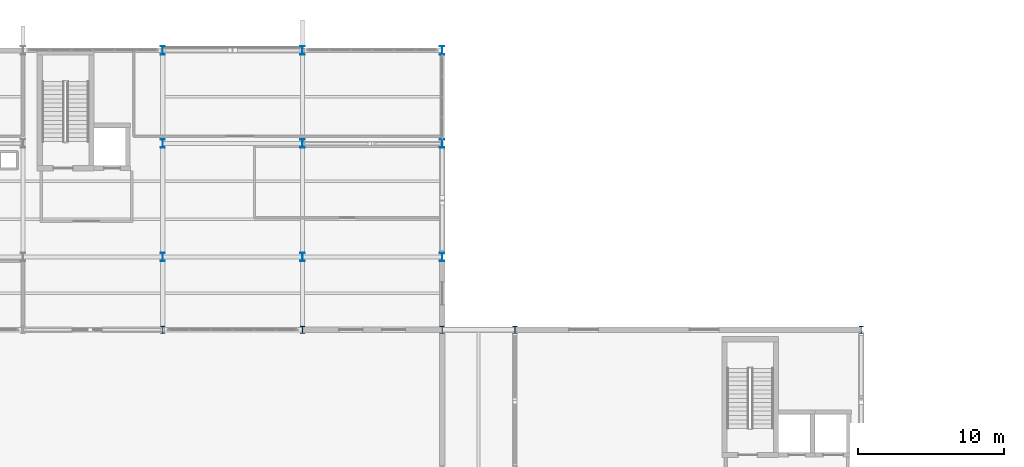
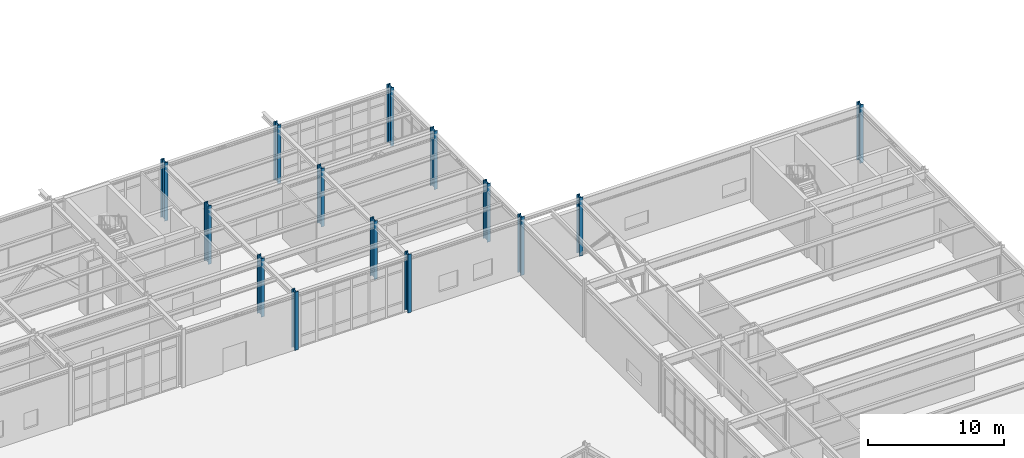
# One storey, part 17 of 109: 14 columns.
"""IFC4 building model written with IfcOpenShell, lengths in metres."""

from ifc_helpers import new_model, si_unit, direction, frame, origin, origin_2d, place, context, subcontext, project, spatial, i_section, extrude, material, material_profile, profile_set, type_object, element, save


model = new_model("IFC4")

# Units and contexts
model_context = context("Model", 3, precision=1e-05, world=origin(), true_north=direction((0.0, 1.0)))
body_context = subcontext(model_context, "Body", "Model", "MODEL_VIEW")
ifc_project = project(units=[si_unit("LENGTHUNIT", "METRE"), si_unit("AREAUNIT", "SQUARE_METRE"), si_unit("VOLUMEUNIT", "CUBIC_METRE"), si_unit("PLANEANGLEUNIT", "RADIAN"), si_unit("MASSUNIT", "GRAM", prefix="KILO")], contexts=[model_context])

# Site, building, storey
site_placement = place(None, origin())
site = spatial("IfcSite", under=ifc_project, at=site_placement, CompositionType="ELEMENT")
building_placement = place(site_placement, origin())
building = spatial("IfcBuilding", under=site, at=building_placement, Name="Nordkorset Police Headquarters", CompositionType="ELEMENT")
storey_placement = place(building_placement, origin())
storey = spatial("IfcBuildingStorey", under=building, at=storey_placement, Name="L00", CompositionType="ELEMENT", Elevation=0.0)

# Columns
ifc_material_1 = material(Name="Steel S355J2", Category="steel")
ifc_material_profile_1 = material_profile(ifc_material_1, i_section(OverallWidth=0.300048828125, OverallDepth=0.5, WebThickness=0.014404296875, FlangeThickness=0.028076171875, FilletRadius=0.027099609375, at=origin_2d()), Name="HEB 500")
ifc_profile_set_1 = profile_set([ifc_material_profile_1], Name="Steel S355J2")
column_type_1 = type_object("IfcColumnType", Name="Col_HEB_500", PredefinedType="COLUMN", material=ifc_profile_set_1)
for number, where, z_axis, x_axis, name in (
    (1, (67.199951171875, 97.60009765625, 0.0), (0.0, 0.0, 1.0), (1.0, 0.0, 0.0), "Structural Column V2_Y0_3 L00"),
    (2, (76.800048828125, 97.60009765625, 0.0), (0.0, 0.0, 1.0), (1.0, 0.0, 0.0), "Structural Column V2_Y0_4 L00"),
    (3, (86.39990234375, 97.60009765625, 0.0), (0.0, 0.0, 1.0), (1.0, 0.0, 0.0), "Structural Column V2_Y0_5 L00"),
    (4, (91.39990234375, 97.60009765625, 0.0), (0.0, 0.0, 1.0), (1.0, 0.0, 0.0), "Structural Column V5_X1_5 L00"),
    (5, (115.199951171875, 97.60009765625, 0.0), (0.0, 0.0, 1.0), (1.0, 0.0, 0.0), "Structural Column V5_X2_5 L00"),
):
    element("IfcColumn", number, at=place(storey_placement, frame(where, z_axis=z_axis, x_axis=x_axis)), inside=storey, type_object=column_type_1, Name=name, PredefinedType="COLUMN", context=body_context, shape_type="SweptSolid", body=[
        extrude(i_section(OverallWidth=0.300048828125, OverallDepth=0.5, WebThickness=0.014404296875, FlangeThickness=0.028076171875, FilletRadius=0.027099609375, at=origin_2d()), origin(), (0.0, 0.0, 1.0), 5.25),
    ])
ifc_material_2 = material(Name="Steel S355J2", Category="steel")
ifc_material_profile_2 = material_profile(ifc_material_2, i_section(OverallWidth=0.300048828125, OverallDepth=0.60009765625, WebThickness=0.015380859375, FlangeThickness=0.030029296875, FilletRadius=0.027099609375, at=origin_2d()), Name="HEB 600")
ifc_profile_set_2 = profile_set([ifc_material_profile_2], Name="Steel S355J2")
column_type_2 = type_object("IfcColumnType", Name="Col_HEB_600", PredefinedType="COLUMN", material=ifc_profile_set_2)
for number, where, z_axis, x_axis, name in (
    (6, (67.199951171875, 102.60009765625, 0.0), (0.0, 0.0, 1.0), (1.0, 0.0, 0.0), "Structural Column V2_Y1_3 L00"),
    (7, (67.199951171875, 110.39990234375, 0.0), (0.0, 0.0, 1.0), (1.0, 0.0, 0.0), "Structural Column V2_Y2_3 L00"),
    (8, (67.199951171875, 116.800048828125, 0.0), (0.0, 0.0, 1.0), (1.0, 0.0, 0.0), "Structural Column V2_Y3_3 L00"),
    (9, (76.800048828125, 102.60009765625, 0.0), (0.0, 0.0, 1.0), (1.0, 0.0, 0.0), "Structural Column V2_Y1_4 L00"),
    (10, (76.800048828125, 110.39990234375, 0.0), (0.0, 0.0, 1.0), (1.0, 0.0, 0.0), "Structural Column V2_Y2_4 L00"),
    (11, (76.800048828125, 116.800048828125, 0.0), (0.0, 0.0, 1.0), (1.0, 0.0, 0.0), "Structural Column V2_Y3_4 L00"),
    (12, (86.39990234375, 102.60009765625, 0.0), (0.0, 0.0, 1.0), (1.0, 0.0, 0.0), "Structural Column V2_Y1_5 L00"),
    (13, (86.39990234375, 110.39990234375, 0.0), (0.0, 0.0, 1.0), (1.0, 0.0, 0.0), "Structural Column V2_Y2_5 L00"),
    (14, (86.39990234375, 116.800048828125, 0.0), (0.0, 0.0, 1.0), (1.0, 0.0, 0.0), "Structural Column V2_Y3_5 L00"),
):
    element("IfcColumn", number, at=place(storey_placement, frame(where, z_axis=z_axis, x_axis=x_axis)), inside=storey, type_object=column_type_2, Name=name, PredefinedType="COLUMN", context=body_context, shape_type="SweptSolid", body=[
        extrude(i_section(OverallWidth=0.300048828125, OverallDepth=0.60009765625, WebThickness=0.015380859375, FlangeThickness=0.030029296875, FilletRadius=0.027099609375, at=origin_2d()), origin(), (0.0, 0.0, 1.0), 5.25),
    ])

save(model, "model.ifc")
